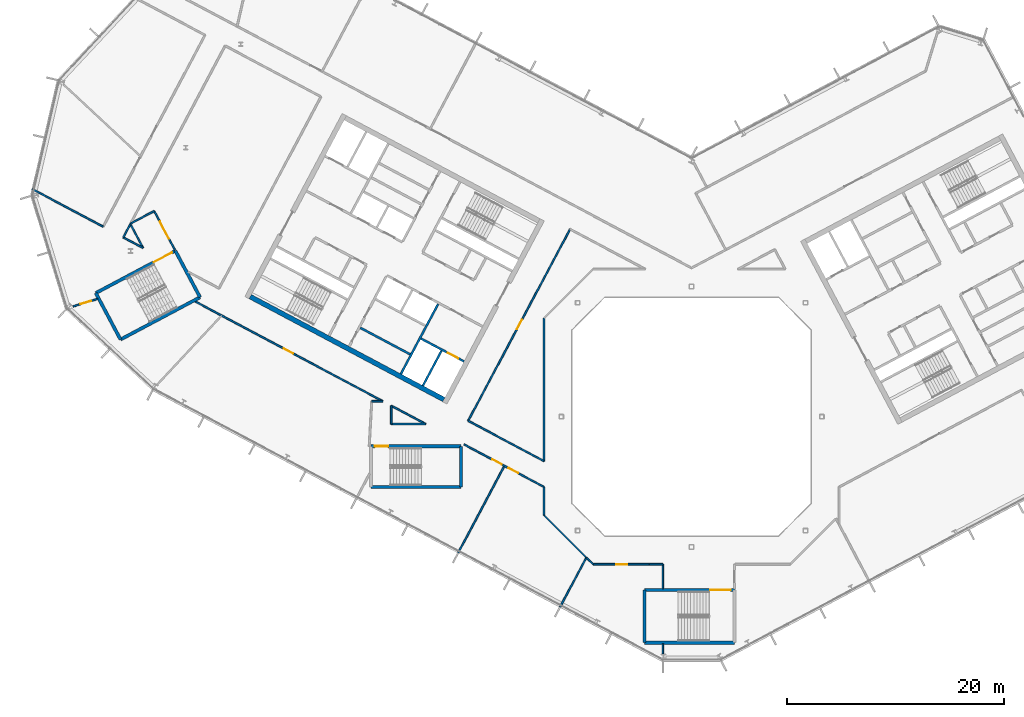
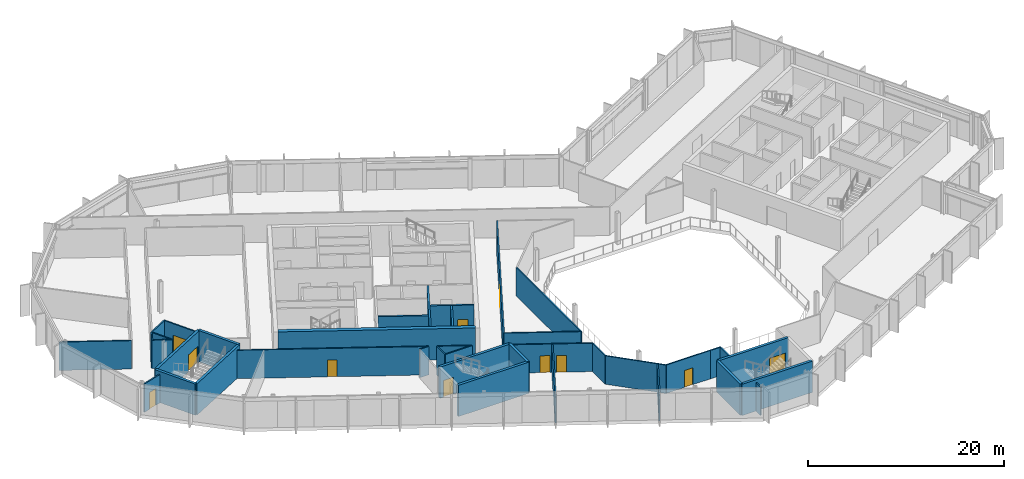
# One storey, part 13 of 26: 40 walls, 11 doors, 11 openings.
"""IFC4 building model written with IfcOpenShell, lengths in metres."""

from ifc_helpers import new_model, si_unit, direction, frame, frame_2d, origin, place, context, subcontext, project, spatial, rectangle, extrude, material, layer, layer_set, type_object, element, fill, save


model = new_model("IFC4")

# Units and contexts
model_context = context("Model", 3, precision=1e-05, world=origin(), true_north=direction((0.0, 1.0)))
body_context = subcontext(model_context, "Body", "Model", "MODEL_VIEW")
ifc_project = project(units=[si_unit("LENGTHUNIT", "METRE"), si_unit("AREAUNIT", "SQUARE_METRE"), si_unit("VOLUMEUNIT", "CUBIC_METRE"), si_unit("PLANEANGLEUNIT", "RADIAN"), si_unit("MASSUNIT", "GRAM", prefix="KILO")], contexts=[model_context])

# Site, building, storey
site_placement = place(None, origin())
site = spatial("IfcSite", under=ifc_project, at=site_placement, CompositionType="ELEMENT")
building_placement = place(site_placement, origin())
building = spatial("IfcBuilding", under=site, at=building_placement, Name="Cormorant Relay Tower", CompositionType="ELEMENT")
storey_placement = place(building_placement, frame((0.0, 0.0, 320.39990234375)))
storey = spatial("IfcBuildingStorey", under=building, at=storey_placement, Name="L73", CompositionType="ELEMENT", Elevation=320.39990234375)

# Walls
ifc_material_1 = material(Name="Concrete 40 MPa", Category="concrete")
ifc_layer_1 = layer(ifc_material_1, 0.199951171875)
ifc_layer_set_1 = layer_set([ifc_layer_1], Name="Core internal wall 200")
wall_type_1 = type_object("IfcWallType", Name="Core internal wall 200", PredefinedType="SOLIDWALL", material=ifc_layer_set_1)
wall_1_placement = place(storey_placement, frame((-25.936767578125, 5.74951171875, 0.0), z_axis=(0.0, 0.0, 1.0), x_axis=(-0.882934506056, 0.469496174655, 0.0)))
element("IfcWall", 1, at=wall_1_placement, inside=storey, type_object=wall_type_1, Name="L73 core A shaft and room wall", PredefinedType="SOLIDWALL", context=body_context, shape_type="SweptSolid", body=[
    extrude(rectangle(XDim=5.199951171875, YDim=0.199951171875, at=frame_2d((2.60009765625, 0.0))), origin(), (0.0, 0.0, 1.0), 3.900146484375),
])
ifc_material_2 = material(Name="Concrete 50 MPa", Category="concrete")
ifc_layer_2 = layer(ifc_material_2, 0.199951171875)
ifc_layer_set_2 = layer_set([ifc_layer_2], Name="Core shaft wall 200")
wall_type_2 = type_object("IfcWallType", Name="Core shaft wall 200", PredefinedType="SHEAR", material=ifc_layer_set_2)
wall_2_placement = place(storey_placement, frame((-23.04296875, 6.07958984375, 0.0), z_axis=(0.0, 0.0, 1.0), x_axis=(-0.469494272526, -0.882935517501, 0.0)))
element("IfcWall", 2, at=wall_2_placement, inside=storey, type_object=wall_type_2, Name="L73 core A shaft wall", PredefinedType="SHEAR", context=body_context, shape_type="SweptSolid", body=[
    extrude(rectangle(XDim=3.64990234375, YDim=0.199951171875, at=frame_2d((1.824951171875, 0.0))), origin(), (0.0, 0.0, 1.0), 3.900146484375),
])
wall_3_placement = place(storey_placement, frame((-23.360107421875, 10.38232421875, 0.0), z_axis=(0.0, 0.0, 1.0), x_axis=(-0.469480409012, -0.88294288918, 0.0)))
element("IfcWall", 3, at=wall_3_placement, inside=storey, type_object=wall_type_2, Name="L73 core A shaft wall", PredefinedType="SHEAR", context=body_context, shape_type="SweptSolid", body=[
    extrude(rectangle(XDim=7.300048828125, YDim=0.199951171875, at=frame_2d((3.64990234375, 0.0))), origin(), (0.0, 0.0, 1.0), 3.900146484375),
])

# Wall, opening, door
wall_4_placement = place(storey_placement, frame((-20.96533203125, 5.088134765625, 0.0), z_axis=(0.0, 0.0, 1.0), x_axis=(-0.882925986334, 0.469512196493, 0.0)))
wall_4 = element("IfcWall", 4, at=wall_4_placement, inside=storey, type_object=wall_type_2, Name="L73 core A shaft wall", PredefinedType="SHEAR", context=body_context, shape_type="SweptSolid", body=[
    extrude(rectangle(XDim=4.5, YDim=0.199951171875, at=frame_2d((2.25, 0.0))), origin(), (0.0, 0.0, 1.0), 3.900146484375),
])
opening_1_placement = place(wall_4_placement, frame((0.60009765625, 0.0, 0.0)))
opening_1 = element("IfcOpeningElement", 5, at=opening_1_placement, cuts=wall_4, Name="Opening LD1-063", PredefinedType="OPENING", context=body_context, shape_type="SweptSolid", body=[
    extrude(rectangle(XDim=1.10009765625, YDim=2.10009765625, at=frame_2d((0.550048828125, 1.050048828125))), frame((0.0, 0.10986328125, 0.0), z_axis=(0.0, -1.0, 0.0), x_axis=(1.0, 0.0, 0.0)), (0.0, 0.0, 1.0), 0.219970703125),
])
ifc_material_3 = material(Name="Stainless steel 316", Category="steel")
door_type_1 = type_object("IfcDoorType", Name="Lift landing door 1100x2100", OperationType="DOUBLE_DOOR_SLIDING", PredefinedType="DOOR", material=ifc_material_3)
door_1_placement = place(opening_1_placement, origin())
door_1 = element("IfcDoor", 6, at=door_1_placement, inside=storey, type_object=door_type_1, Name="FF1 landing door", OperationType="DOUBLE_DOOR_SLIDING", OverallHeight=2.10009765625, OverallWidth=1.10009765625, PredefinedType="DOOR", context=body_context, shape_type="SweptSolid", body=[
    extrude(rectangle(XDim=1.10009765625, YDim=2.10009765625, at=frame_2d((0.550048828125, 1.050048828125))), frame((0.0, 0.02490234375, 0.0), z_axis=(0.0, -1.0, 0.0), x_axis=(1.0, 0.0, 0.0)), (0.0, 0.0, 1.0), 0.050048828125),
])
fill(opening_1, door_1)

# Walls
ifc_material_4 = material(Name="Concrete 50 MPa", Category="concrete")
ifc_layer_3 = layer(ifc_material_4, 0.449951171875)
ifc_layer_set_3 = layer_set([ifc_layer_3], Name="Core wall 450")
wall_type_3 = type_object("IfcWallType", Name="Core wall 450", PredefinedType="SHEAR", material=ifc_layer_set_3)
wall_5_placement = place(storey_placement, frame((-22.83154296875, 1.578369140625, 0.0), z_axis=(0.0, 0.0, 1.0), x_axis=(-0.88294509198, 0.469476266226, 0.0)))
element("IfcWall", 7, at=wall_5_placement, inside=storey, type_object=wall_type_3, Name="L73 core A wall", PredefinedType="SHEAR", context=body_context, shape_type="SweptSolid", body=[
    extrude(rectangle(XDim=20.199951171875, YDim=0.449951171875, at=frame_2d((10.10009765625, 0.0))), origin(), (0.0, 0.0, 1.0), 3.900146484375),
])
ifc_material_5 = material(Name="Gypsum board fire partition")
ifc_layer_4 = layer(ifc_material_5, 0.14990234375)
ifc_layer_set_4 = layer_set([ifc_layer_4], Name="Corridor partition 150 EI 60")
wall_type_4 = type_object("IfcWallType", Name="Corridor partition 150 EI 60", PredefinedType="PARTITIONING", material=ifc_layer_set_4)
wall_6_placement = place(storey_placement, frame((-54.22802734375, 17.508056640625, 0.0), z_axis=(0.0, 0.0, 1.0), x_axis=(-0.882937333257, 0.469490857783, 0.0)))
element("IfcWall", 8, at=wall_6_placement, inside=storey, type_object=wall_type_4, Name="wall/L73/part/004", PredefinedType="PARTITIONING", context=body_context, shape_type="SweptSolid", body=[
    extrude(rectangle(XDim=7.42724609375, YDim=0.14990234375, at=frame_2d((3.713623046875, 0.0))), origin(), (0.0, 0.0, 1.0), 3.5400390625),
])

# Wall, opening, door
wall_7_placement = place(storey_placement, frame((-54.73193359375, 10.85693359375, 0.0), z_axis=(0.0, 0.0, 1.0), x_axis=(-0.956231519395, -0.292611143525, 0.0)))
wall_7 = element("IfcWall", 9, at=wall_7_placement, inside=storey, type_object=wall_type_4, Name="wall/L73/part/005", PredefinedType="PARTITIONING", context=body_context, shape_type="SweptSolid", body=[
    extrude(rectangle(XDim=2.385498046875, YDim=0.14990234375, at=frame_2d((1.19287109375, 0.0))), origin(), (0.0, 0.0, 1.0), 3.5400390625),
])
opening_2_placement = place(wall_7_placement, frame((0.64990234375, 0.0, 0.0)))
opening_2 = element("IfcOpeningElement", 10, at=opening_2_placement, cuts=wall_7, Name="Opening DS-205", PredefinedType="OPENING", context=body_context, shape_type="SweptSolid", body=[
    extrude(rectangle(XDim=1.0, YDim=2.10009765625, at=frame_2d((0.5, 1.050048828125))), frame((0.0, 0.0849609375, 0.0), z_axis=(0.0, -1.0, 0.0), x_axis=(1.0, 0.0, 0.0)), (0.0, 0.0, 1.0), 0.169921875),
])
ifc_material_6 = material(Name="Timber door leaf", Category="wood")
door_type_2 = type_object("IfcDoorType", Name="Suite door 1000x2100", OperationType="SINGLE_SWING_LEFT", PredefinedType="DOOR", material=ifc_material_6)
door_2_placement = place(opening_2_placement, origin())
door_2 = element("IfcDoor", 11, at=door_2_placement, inside=storey, type_object=door_type_2, Name="door/L73/007", OperationType="SINGLE_SWING_LEFT", OverallHeight=2.10009765625, OverallWidth=1.0, PredefinedType="DOOR", context=body_context, shape_type="SweptSolid", body=[
    extrude(rectangle(XDim=1.0, YDim=2.10009765625, at=frame_2d((0.5, 1.050048828125))), frame((0.0, 0.02490234375, 0.0), z_axis=(0.0, -1.0, 0.0), x_axis=(1.0, 0.0, 0.0)), (0.0, 0.0, 1.0), 0.050048828125),
])
fill(opening_2, door_2)

wall_8_placement = place(storey_placement, frame((-47.62109375, 15.3779296875, 0.0), z_axis=(0.0, 0.0, 1.0), x_axis=(-0.469542997944, 0.882909606404, 0.0)))
wall_8 = element("IfcWall", 12, at=wall_8_placement, inside=storey, type_object=wall_type_4, Name="wall/L73/part/009", PredefinedType="PARTITIONING", context=body_context, shape_type="SweptSolid", body=[
    extrude(rectangle(XDim=4.050537109375, YDim=0.14990234375, at=frame_2d((2.025390625, 0.0))), origin(), (0.0, 0.0, 1.0), 3.5400390625),
])
opening_3_placement = place(wall_8_placement, frame((1.14990234375, 0.0, 0.0)))
opening_3 = element("IfcOpeningElement", 13, at=opening_3_placement, cuts=wall_8, Name="Opening DD-035", PredefinedType="OPENING", context=body_context, shape_type="SweptSolid", body=[
    extrude(rectangle(XDim=1.800048828125, YDim=2.10009765625, at=frame_2d((0.89990234375, 1.050048828125))), frame((0.0, 0.0849609375, 0.0), z_axis=(0.0, -1.0, 0.0), x_axis=(1.0, 0.0, 0.0)), (0.0, 0.0, 1.0), 0.169921875),
])
ifc_material_7 = material(Name="Timber door leaf", Category="wood")
door_type_3 = type_object("IfcDoorType", Name="Suite double door 1800x2100", OperationType="DOUBLE_DOOR_SINGLE_SWING", PredefinedType="DOOR", material=ifc_material_7)
door_3_placement = place(opening_3_placement, frame((1.800048828125, 0.0, 0.0), z_axis=(0.0, 0.0, 1.0), x_axis=(-1.0, 0.0, 0.0)))
door_3 = element("IfcDoor", 14, at=door_3_placement, inside=storey, type_object=door_type_3, Name="door/L73/003", OperationType="DOUBLE_DOOR_SINGLE_SWING", OverallHeight=2.10009765625, OverallWidth=1.800048828125, PredefinedType="DOOR", context=body_context, shape_type="SweptSolid", body=[
    extrude(rectangle(XDim=1.800048828125, YDim=2.10009765625, at=frame_2d((0.89990234375, 1.050048828125))), frame((0.0, 0.02490234375, 0.0), z_axis=(0.0, -1.0, 0.0), x_axis=(1.0, 0.0, 0.0)), (0.0, 0.0, 1.0), 0.050048828125),
])
fill(opening_3, door_3)

# Wall
wall_9_placement = place(storey_placement, frame((-49.52294921875, 18.9541015625, 0.0), z_axis=(0.0, 0.0, 1.0), x_axis=(-0.882767334528, -0.469810422501, 0.0)))
element("IfcWall", 15, at=wall_9_placement, inside=storey, type_object=wall_type_4, Name="wall/L73/part/010", PredefinedType="PARTITIONING", context=body_context, shape_type="SweptSolid", body=[
    extrude(rectangle(XDim=2.460693359375, YDim=0.14990234375, at=frame_2d((1.23046875, 0.0))), origin(), (0.0, 0.0, 1.0), 3.5400390625),
])

# Wall, opening, door
wall_10_placement = place(storey_placement, frame((-28.4541015625, 1.425048828125, 0.0), z_axis=(0.0, 0.0, 1.0), x_axis=(-0.882958686675, 0.469450697757, 0.0)))
wall_10 = element("IfcWall", 16, at=wall_10_placement, inside=storey, type_object=wall_type_4, Name="wall/L73/part/015", PredefinedType="PARTITIONING", context=body_context, shape_type="SweptSolid", body=[
    extrude(rectangle(XDim=19.6123046875, YDim=0.14990234375, at=frame_2d((9.80615234375, 0.0))), origin(), (0.0, 0.0, 1.0), 3.5400390625),
])
opening_4_placement = place(wall_10_placement, frame((9.35009765625, 0.0, 0.0)))
opening_4 = element("IfcOpeningElement", 17, at=opening_4_placement, cuts=wall_10, Name="Opening DS-277", PredefinedType="OPENING", context=body_context, shape_type="SweptSolid", body=[
    extrude(rectangle(XDim=1.0, YDim=2.10009765625, at=frame_2d((0.5, 1.050048828125))), frame((0.0, 0.0849609375, 0.0), z_axis=(0.0, -1.0, 0.0), x_axis=(1.0, 0.0, 0.0)), (0.0, 0.0, 1.0), 0.169921875),
])
door_4_placement = place(opening_4_placement, origin())
door_4 = element("IfcDoor", 18, at=door_4_placement, inside=storey, type_object=door_type_2, Name="door/L73/008", OperationType="SINGLE_SWING_LEFT", OverallHeight=2.10009765625, OverallWidth=1.0, PredefinedType="DOOR", context=body_context, shape_type="SweptSolid", body=[
    extrude(rectangle(XDim=1.0, YDim=2.10009765625, at=frame_2d((0.5, 1.050048828125))), frame((0.0, 0.02490234375, 0.0), z_axis=(0.0, -1.0, 0.0), x_axis=(1.0, 0.0, 0.0)), (0.0, 0.0, 1.0), 0.050048828125),
])
fill(opening_4, door_4)

# Wall
wall_11_placement = place(storey_placement, frame((-28.455078125, 1.425048828125, 0.0), z_axis=(0.0, 0.0, 1.0), x_axis=(-0.999999541697, -0.000957395444, 0.0)))
element("IfcWall", 19, at=wall_11_placement, inside=storey, type_object=wall_type_4, Name="wall/L73/part/021", PredefinedType="PARTITIONING", context=body_context, shape_type="SweptSolid", body=[
    extrude(rectangle(XDim=1.02001953125, YDim=0.14990234375, at=frame_2d((0.510009765625, 0.0))), origin(), (0.0, 0.0, 1.0), 3.5400390625),
])

# Wall, openings, doors
wall_12_placement = place(storey_placement, frame((-13.60009765625, -6.472900390625, 0.0), z_axis=(0.0, 0.0, 1.0), x_axis=(-0.882934197132, 0.469496755618, 0.0)))
wall_12 = element("IfcWall", 20, at=wall_12_placement, inside=storey, type_object=wall_type_4, Name="wall/L73/part/023", PredefinedType="PARTITIONING", context=body_context, shape_type="SweptSolid", body=[
    extrude(rectangle(XDim=8.361572265625, YDim=0.14990234375, at=frame_2d((4.1806640625, 0.0))), origin(), (0.0, 0.0, 1.0), 3.5400390625),
])
opening_5_placement = place(wall_12_placement, frame((4.39990234375, 0.0, 0.0)))
opening_5 = element("IfcOpeningElement", 21, at=opening_5_placement, cuts=wall_12, Name="Opening DS-278", PredefinedType="OPENING", context=body_context, shape_type="SweptSolid", body=[
    extrude(rectangle(XDim=1.0, YDim=2.10009765625, at=frame_2d((0.5, 1.050048828125))), frame((0.0, 0.0849609375, 0.0), z_axis=(0.0, -1.0, 0.0), x_axis=(1.0, 0.0, 0.0)), (0.0, 0.0, 1.0), 0.169921875),
])
opening_6_placement = place(wall_12_placement, frame((2.698974609375, 0.0, 0.0)))
opening_6 = element("IfcOpeningElement", 22, at=opening_6_placement, cuts=wall_12, Name="Opening DS-279", PredefinedType="OPENING", context=body_context, shape_type="SweptSolid", body=[
    extrude(rectangle(XDim=1.0, YDim=2.10009765625, at=frame_2d((0.5, 1.050048828125))), frame((0.0, 0.0849609375, 0.0), z_axis=(0.0, -1.0, 0.0), x_axis=(1.0, 0.0, 0.0)), (0.0, 0.0, 1.0), 0.169921875),
])
door_5_placement = place(opening_5_placement, origin())
door_5 = element("IfcDoor", 23, at=door_5_placement, inside=storey, type_object=door_type_2, Name="door/L73/009", OperationType="SINGLE_SWING_LEFT", OverallHeight=2.10009765625, OverallWidth=1.0, PredefinedType="DOOR", context=body_context, shape_type="SweptSolid", body=[
    extrude(rectangle(XDim=1.0, YDim=2.10009765625, at=frame_2d((0.5, 1.050048828125))), frame((0.0, 0.02490234375, 0.0), z_axis=(0.0, -1.0, 0.0), x_axis=(1.0, 0.0, 0.0)), (0.0, 0.0, 1.0), 0.050048828125),
])
fill(opening_5, door_5)
door_6_placement = place(opening_6_placement, origin())
door_6 = element("IfcDoor", 24, at=door_6_placement, inside=storey, type_object=door_type_2, Name="door/L73/010", OperationType="SINGLE_SWING_RIGHT", OverallHeight=2.10009765625, OverallWidth=1.0, PredefinedType="DOOR", context=body_context, shape_type="SweptSolid", body=[
    extrude(rectangle(XDim=1.0, YDim=2.10009765625, at=frame_2d((0.5, 1.050048828125))), frame((0.0, 0.02490234375, 0.0), z_axis=(0.0, -1.0, 0.0), x_axis=(1.0, 0.0, 0.0)), (0.0, 0.0, 1.0), 0.050048828125),
])
fill(opening_6, door_6)

# Walls
wall_13_placement = place(storey_placement, frame((-9.660888671875, -13.01611328125, 0.0), z_axis=(0.0, 0.0, 1.0), x_axis=(-0.707106781187, 0.707106781187, 0.0)))
element("IfcWall", 25, at=wall_13_placement, inside=storey, type_object=wall_type_4, Name="wall/L73/part/025", PredefinedType="PARTITIONING", context=body_context, shape_type="SweptSolid", body=[
    extrude(rectangle(XDim=5.57080078125, YDim=0.14990234375, at=frame_2d((2.785400390625, 0.0))), origin(), (0.0, 0.0, 1.0), 3.5400390625),
])
wall_14_placement = place(storey_placement, frame((-13.60009765625, -9.076904296875, 0.0), z_axis=(0.0, 0.0, 1.0), x_axis=(0.0, 1.0, 0.0)))
element("IfcWall", 26, at=wall_14_placement, inside=storey, type_object=wall_type_4, Name="wall/L73/part/026", PredefinedType="PARTITIONING", context=body_context, shape_type="SweptSolid", body=[
    extrude(rectangle(XDim=2.5859375, YDim=0.14990234375, at=frame_2d((1.29296875, 0.0))), origin(), (0.0, 0.0, 1.0), 3.5400390625),
])

# Wall, opening, door
wall_15_placement = place(storey_placement, frame((-3.887939453125, -13.60009765625, 0.0), z_axis=(0.0, 0.0, 1.0), x_axis=(-1.0, 0.0, 0.0)))
wall_15 = element("IfcWall", 27, at=wall_15_placement, inside=storey, type_object=wall_type_4, Name="wall/L73/part/028", PredefinedType="PARTITIONING", context=body_context, shape_type="SweptSolid", body=[
    extrude(rectangle(XDim=5.18896484375, YDim=0.14990234375, at=frame_2d((2.594482421875, 0.0))), origin(), (0.0, 0.0, 1.0), 3.5400390625),
])
opening_7_placement = place(wall_15_placement, frame((2.050048828125, 0.0, 0.0)))
opening_7 = element("IfcOpeningElement", 28, at=opening_7_placement, cuts=wall_15, Name="Opening DS-280", PredefinedType="OPENING", context=body_context, shape_type="SweptSolid", body=[
    extrude(rectangle(XDim=1.0, YDim=2.10009765625, at=frame_2d((0.5, 1.050048828125))), frame((0.0, 0.0849609375, 0.0), z_axis=(0.0, -1.0, 0.0), x_axis=(1.0, 0.0, 0.0)), (0.0, 0.0, 1.0), 0.169921875),
])
door_7_placement = place(opening_7_placement, origin())
door_7 = element("IfcDoor", 29, at=door_7_placement, inside=storey, type_object=door_type_2, Name="door/L73/011", OperationType="SINGLE_SWING_LEFT", OverallHeight=2.10009765625, OverallWidth=1.0, PredefinedType="DOOR", context=body_context, shape_type="SweptSolid", body=[
    extrude(rectangle(XDim=1.0, YDim=2.10009765625, at=frame_2d((0.5, 1.050048828125))), frame((0.0, 0.02490234375, 0.0), z_axis=(0.0, -1.0, 0.0), x_axis=(1.0, 0.0, 0.0)), (0.0, 0.0, 1.0), 0.050048828125),
])
fill(opening_7, door_7)

# Walls
wall_16_placement = place(storey_placement, frame((-9.076904296875, -13.60009765625, 0.0), z_axis=(0.0, 0.0, 1.0), x_axis=(-0.707106781187, 0.707106781187, 0.0)))
element("IfcWall", 30, at=wall_16_placement, inside=storey, type_object=wall_type_4, Name="wall/L73/part/029", PredefinedType="PARTITIONING", context=body_context, shape_type="SweptSolid", body=[
    extrude(rectangle(XDim=0.871337890625, YDim=0.14990234375, at=frame_2d((0.435546875, 0.0))), origin(), (0.0, 0.0, 1.0), 3.5400390625),
])
wall_17_placement = place(storey_placement, frame((-2.64892578125, -15.875, 0.0), z_axis=(0.0, 0.0, 1.0), x_axis=(0.0, 1.0, 0.0)))
element("IfcWall", 31, at=wall_17_placement, inside=storey, type_object=wall_type_4, Name="wall/L73/part/030", PredefinedType="PARTITIONING", context=body_context, shape_type="SweptSolid", body=[
    extrude(rectangle(XDim=2.27490234375, YDim=0.14990234375, at=frame_2d((1.137451171875, 0.0))), origin(), (0.0, 0.0, 1.0), 3.5400390625),
])
wall_18_placement = place(storey_placement, frame((-2.64892578125, -13.60009765625, 0.0), z_axis=(0.0, 0.0, 1.0), x_axis=(-1.0, 0.0, 0.0)))
element("IfcWall", 32, at=wall_18_placement, inside=storey, type_object=wall_type_4, Name="wall/L73/part/031", PredefinedType="PARTITIONING", context=body_context, shape_type="SweptSolid", body=[
    extrude(rectangle(XDim=1.239013671875, YDim=0.14990234375, at=frame_2d((0.61962890625, 0.0))), origin(), (0.0, 0.0, 1.0), 3.5400390625),
])
wall_19_placement = place(storey_placement, frame((-52.3740234375, 16.52197265625, 0.0), z_axis=(0.0, 0.0, 1.0), x_axis=(0.882981472085, -0.469407839682, 0.0)))
element("IfcWall", 33, at=wall_19_placement, inside=storey, type_object=wall_type_4, Name="wall/L73/part/045", PredefinedType="PARTITIONING", context=body_context, shape_type="SweptSolid", body=[
    extrude(rectangle(XDim=2.072509765625, YDim=0.14990234375, at=frame_2d((1.0361328125, 0.0))), origin(), (0.0, 0.0, 1.0), 3.5400390625),
])
wall_20_placement = place(storey_placement, frame((-50.5439453125, 15.549072265625, 0.0), z_axis=(0.0, 0.0, 1.0), x_axis=(-0.469183782948, 0.883100547967, 0.0)))
element("IfcWall", 34, at=wall_20_placement, inside=storey, type_object=wall_type_4, Name="wall/L73/part/046", PredefinedType="PARTITIONING", context=body_context, shape_type="SweptSolid", body=[
    extrude(rectangle(XDim=2.500244140625, YDim=0.14990234375, at=frame_2d((1.25, 0.0))), origin(), (0.0, 0.0, 1.0), 3.5400390625),
])
wall_21_placement = place(storey_placement, frame((-51.717041015625, 17.757080078125, 0.0), z_axis=(0.0, 0.0, 1.0), x_axis=(-0.469618761384, -0.882869310236, 0.0)))
element("IfcWall", 35, at=wall_21_placement, inside=storey, type_object=wall_type_4, Name="wall/L73/part/047", PredefinedType="PARTITIONING", context=body_context, shape_type="SweptSolid", body=[
    extrude(rectangle(XDim=1.39892578125, YDim=0.14990234375, at=frame_2d((0.699462890625, 0.0))), origin(), (0.0, 0.0, 1.0), 3.5400390625),
])
wall_22_placement = place(storey_placement, frame((-27.675048828125, 1.010986328125, 0.0), z_axis=(0.0, 0.0, 1.0), x_axis=(0.0, -1.0, 0.0)))
element("IfcWall", 36, at=wall_22_placement, inside=storey, type_object=wall_type_4, Name="wall/L73/part/048", PredefinedType="PARTITIONING", context=body_context, shape_type="SweptSolid", body=[
    extrude(rectangle(XDim=1.68603515625, YDim=0.14990234375, at=frame_2d((0.843017578125, 0.0))), origin(), (0.0, 0.0, 1.0), 3.5400390625),
])
wall_23_placement = place(storey_placement, frame((-27.675048828125, -0.675048828125, 0.0), z_axis=(0.0, 0.0, 1.0), x_axis=(1.0, 0.0, 0.0)))
element("IfcWall", 37, at=wall_23_placement, inside=storey, type_object=wall_type_4, Name="wall/L73/part/049", PredefinedType="PARTITIONING", context=body_context, shape_type="SweptSolid", body=[
    extrude(rectangle(XDim=3.171142578125, YDim=0.14990234375, at=frame_2d((1.58544921875, 0.0))), origin(), (0.0, 0.0, 1.0), 3.5400390625),
])
wall_24_placement = place(storey_placement, frame((-24.50390625, -0.675048828125, 0.0), z_axis=(0.0, 0.0, 1.0), x_axis=(-0.882958125757, 0.46945175275, 0.0)))
element("IfcWall", 38, at=wall_24_placement, inside=storey, type_object=wall_type_4, Name="wall/L73/part/050", PredefinedType="PARTITIONING", context=body_context, shape_type="SweptSolid", body=[
    extrude(rectangle(XDim=3.591552734375, YDim=0.14990234375, at=frame_2d((1.7958984375, 0.0))), origin(), (0.0, 0.0, 1.0), 3.5400390625),
])

# Wall, opening, door
wall_25_placement = place(storey_placement, frame((-20.587890625, -0.37890625, 0.0), z_axis=(0.0, 0.0, 1.0), x_axis=(0.469489882812, 0.882937851685, 0.0)))
wall_25 = element("IfcWall", 39, at=wall_25_placement, inside=storey, type_object=wall_type_4, Name="wall/L73/part/051", PredefinedType="PARTITIONING", context=body_context, shape_type="SweptSolid", body=[
    extrude(rectangle(XDim=20.000244140625, YDim=0.14990234375, at=frame_2d((10.0, 0.0))), origin(), (0.0, 0.0, 1.0), 3.5400390625),
])
opening_8_placement = place(wall_25_placement, frame((9.550048828125, 0.0, 0.0)))
opening_8 = element("IfcOpeningElement", 40, at=opening_8_placement, cuts=wall_25, Name="Opening DS-117", PredefinedType="OPENING", context=body_context, shape_type="SweptSolid", body=[
    extrude(rectangle(XDim=1.0, YDim=2.10009765625, at=frame_2d((0.5, 1.050048828125))), frame((0.0, 0.0849609375, 0.0), z_axis=(0.0, -1.0, 0.0), x_axis=(1.0, 0.0, 0.0)), (0.0, 0.0, 1.0), 0.169921875),
])
door_8_placement = place(opening_8_placement, frame((1.0, 0.0, 0.0), z_axis=(0.0, 0.0, 1.0), x_axis=(-1.0, 0.0, 0.0)))
door_8 = element("IfcDoor", 41, at=door_8_placement, inside=storey, type_object=door_type_2, Name="door/L73/004", OperationType="SINGLE_SWING_LEFT", OverallHeight=2.10009765625, OverallWidth=1.0, PredefinedType="DOOR", context=body_context, shape_type="SweptSolid", body=[
    extrude(rectangle(XDim=1.0, YDim=2.10009765625, at=frame_2d((0.5, 1.050048828125))), frame((0.0, 0.02490234375, 0.0), z_axis=(0.0, -1.0, 0.0), x_axis=(1.0, 0.0, 0.0)), (0.0, 0.0, 1.0), 0.050048828125),
])
fill(opening_8, door_8)

# Walls
wall_26_placement = place(storey_placement, frame((-13.60009765625, 9.076904296875, 0.0), z_axis=(0.0, 0.0, 1.0), x_axis=(0.0, -1.0, 0.0)))
element("IfcWall", 42, at=wall_26_placement, inside=storey, type_object=wall_type_4, Name="wall/L73/part/055", PredefinedType="PARTITIONING", context=body_context, shape_type="SweptSolid", body=[
    extrude(rectangle(XDim=13.1708984375, YDim=0.14990234375, at=frame_2d((6.58544921875, 0.0))), origin(), (0.0, 0.0, 1.0), 3.5400390625),
])
wall_27_placement = place(storey_placement, frame((-13.60009765625, -4.093994140625, 0.0), z_axis=(0.0, 0.0, 1.0), x_axis=(-0.882967890474, 0.469433386533, 0.0)))
element("IfcWall", 43, at=wall_27_placement, inside=storey, type_object=wall_type_4, Name="wall/L73/part/056", PredefinedType="PARTITIONING", context=body_context, shape_type="SweptSolid", body=[
    extrude(rectangle(XDim=7.9140625, YDim=0.14990234375, at=frame_2d((3.95703125, 0.0))), origin(), (0.0, 0.0, 1.0), 3.5400390625),
])
ifc_material_8 = material(Name="Concrete 50 MPa", Category="concrete")
ifc_layer_5 = layer(ifc_material_8, 0.300048828125)
ifc_layer_set_5 = layer_set([ifc_layer_5], Name="Remote stair wall 300")
wall_type_5 = type_object("IfcWallType", Name="Remote stair wall 300", PredefinedType="SHEAR", material=ifc_layer_set_5)
wall_28_placement = place(storey_placement, frame((3.949951171875, -20.824951171875, 0.0), z_axis=(0.0, 0.0, 1.0), x_axis=(-1.0, 0.0, 0.0)))
element("IfcWall", 44, at=wall_28_placement, inside=storey, type_object=wall_type_5, Name="L73 exit stair RK1 wall", PredefinedType="SHEAR", context=body_context, shape_type="SweptSolid", body=[
    extrude(rectangle(XDim=8.300048828125, YDim=0.300048828125, at=frame_2d((4.14990234375, 0.0))), origin(), (0.0, 0.0, 1.0), 3.900146484375),
])
wall_29_placement = place(storey_placement, frame((-4.35009765625, -20.824951171875, 0.0), z_axis=(0.0, 0.0, 1.0), x_axis=(0.0, 1.0, 0.0)))
element("IfcWall", 45, at=wall_29_placement, inside=storey, type_object=wall_type_5, Name="L73 exit stair RK1 wall", PredefinedType="SHEAR", context=body_context, shape_type="SweptSolid", body=[
    extrude(rectangle(XDim=4.849853515625, YDim=0.300048828125, at=frame_2d((2.4248046875, 0.0))), origin(), (0.0, 0.0, 1.0), 3.900146484375),
])

# Wall, opening, door
wall_30_placement = place(storey_placement, frame((-4.35009765625, -15.97509765625, 0.0), z_axis=(0.0, 0.0, 1.0), x_axis=(1.0, 0.0, 0.0)))
wall_30 = element("IfcWall", 46, at=wall_30_placement, inside=storey, type_object=wall_type_5, Name="L73 exit stair RK1 wall", PredefinedType="SHEAR", context=body_context, shape_type="SweptSolid", body=[
    extrude(rectangle(XDim=8.300048828125, YDim=0.300048828125, at=frame_2d((4.14990234375, 0.0))), origin(), (0.0, 0.0, 1.0), 3.900146484375),
])
opening_9_placement = place(wall_30_placement, frame((6.050048828125, 0.0, 0.0)))
opening_9 = element("IfcOpeningElement", 47, at=opening_9_placement, cuts=wall_30, Name="Opening CDE-014", PredefinedType="OPENING", context=body_context, shape_type="SweptSolid", body=[
    extrude(rectangle(XDim=1.89990234375, YDim=2.10009765625, at=frame_2d((0.949951171875, 1.050048828125))), frame((0.0, 0.159912109375, 0.0), z_axis=(0.0, -1.0, 0.0), x_axis=(1.0, 0.0, 0.0)), (0.0, 0.0, 1.0), 0.320068359375),
])
ifc_material_9 = material(Name="Steel fire door", Category="steel")
door_type_4 = type_object("IfcDoorType", Name="Remote stair door 1900x2100", OperationType="DOUBLE_DOOR_SINGLE_SWING", PredefinedType="DOOR", material=ifc_material_9)
door_9_placement = place(opening_9_placement, frame((1.89990234375, 0.0, 0.0), z_axis=(0.0, 0.0, 1.0), x_axis=(-1.0, 0.0, 0.0)))
door_9 = element("IfcDoor", 48, at=door_9_placement, inside=storey, type_object=door_type_4, Name="Exit stair RK1 door", OperationType="DOUBLE_DOOR_SINGLE_SWING", OverallHeight=2.10009765625, OverallWidth=1.89990234375, PredefinedType="DOOR", context=body_context, shape_type="SweptSolid", body=[
    extrude(rectangle(XDim=1.89990234375, YDim=2.10009765625, at=frame_2d((0.949951171875, 1.050048828125))), frame((0.0, 0.02490234375, 0.0), z_axis=(0.0, -1.0, 0.0), x_axis=(1.0, 0.0, 0.0)), (0.0, 0.0, 1.0), 0.050048828125),
])
fill(opening_9, door_9)

# Walls
wall_31_placement = place(storey_placement, frame((-47.57421875, 15.28955078125, 0.0), z_axis=(0.0, 0.0, 1.0), x_axis=(0.469443498566, -0.882962514297, 0.0)))
element("IfcWall", 49, at=wall_31_placement, inside=storey, type_object=wall_type_5, Name="L73 exit stair RP1 wall", PredefinedType="SHEAR", context=body_context, shape_type="SweptSolid", body=[
    extrude(rectangle(XDim=4.85009765625, YDim=0.300048828125, at=frame_2d((2.425048828125, 0.0))), origin(), (0.0, 0.0, 1.0), 3.900146484375),
])
wall_32_placement = place(storey_placement, frame((-45.29736328125, 11.007080078125, 0.0), z_axis=(0.0, 0.0, 1.0), x_axis=(-0.882951519127, -0.469464178475, 0.0)))
element("IfcWall", 50, at=wall_32_placement, inside=storey, type_object=wall_type_5, Name="L73 exit stair RP1 wall", PredefinedType="SHEAR", context=body_context, shape_type="SweptSolid", body=[
    extrude(rectangle(XDim=8.2998046875, YDim=0.300048828125, at=frame_2d((4.14990234375, 0.0))), origin(), (0.0, 0.0, 1.0), 3.900146484375),
])
wall_33_placement = place(storey_placement, frame((-52.625732421875, 7.110595703125, 0.0), z_axis=(0.0, 0.0, 1.0), x_axis=(-0.469464364128, 0.882951420416, 0.0)))
element("IfcWall", 51, at=wall_33_placement, inside=storey, type_object=wall_type_5, Name="L73 exit stair RP1 wall", PredefinedType="SHEAR", context=body_context, shape_type="SweptSolid", body=[
    extrude(rectangle(XDim=4.849853515625, YDim=0.300048828125, at=frame_2d((2.4248046875, 0.0))), origin(), (0.0, 0.0, 1.0), 3.900146484375),
])

# Wall, opening, door
wall_34_placement = place(storey_placement, frame((-54.902587890625, 11.392822265625, 0.0), z_axis=(0.0, 0.0, 1.0), x_axis=(0.882939326045, 0.469487110071, 0.0)))
wall_34 = element("IfcWall", 52, at=wall_34_placement, inside=storey, type_object=wall_type_5, Name="L73 exit stair RP1 wall", PredefinedType="SHEAR", context=body_context, shape_type="SweptSolid", body=[
    extrude(rectangle(XDim=8.300048828125, YDim=0.300048828125, at=frame_2d((4.14990234375, 0.0))), origin(), (0.0, 0.0, 1.0), 3.900146484375),
])
opening_10_placement = place(wall_34_placement, frame((6.050048828125, 0.0, 0.0)))
opening_10 = element("IfcOpeningElement", 53, at=opening_10_placement, cuts=wall_34, Name="Opening CDE-015", PredefinedType="OPENING", context=body_context, shape_type="SweptSolid", body=[
    extrude(rectangle(XDim=1.89990234375, YDim=2.10009765625, at=frame_2d((0.949951171875, 1.050048828125))), frame((0.0, 0.159912109375, 0.0), z_axis=(0.0, -1.0, 0.0), x_axis=(1.0, 0.0, 0.0)), (0.0, 0.0, 1.0), 0.320068359375),
])
door_10_placement = place(opening_10_placement, frame((1.89990234375, 0.0, 0.0), z_axis=(0.0, 0.0, 1.0), x_axis=(-1.0, 0.0, 0.0)))
door_10 = element("IfcDoor", 54, at=door_10_placement, inside=storey, type_object=door_type_4, Name="Exit stair RP1 door", OperationType="DOUBLE_DOOR_SINGLE_SWING", OverallHeight=2.10009765625, OverallWidth=1.89990234375, PredefinedType="DOOR", context=body_context, shape_type="SweptSolid", body=[
    extrude(rectangle(XDim=1.89990234375, YDim=2.10009765625, at=frame_2d((0.949951171875, 1.050048828125))), frame((0.0, 0.02490234375, 0.0), z_axis=(0.0, -1.0, 0.0), x_axis=(1.0, 0.0, 0.0)), (0.0, 0.0, 1.0), 0.050048828125),
])
fill(opening_10, door_10)

# Walls
wall_35_placement = place(storey_placement, frame((-21.25, -2.72509765625, 0.0), z_axis=(0.0, 0.0, 1.0), x_axis=(0.0, -1.0, 0.0)))
element("IfcWall", 55, at=wall_35_placement, inside=storey, type_object=wall_type_5, Name="L73 exit stair RC1 wall", PredefinedType="SHEAR", context=body_context, shape_type="SweptSolid", body=[
    extrude(rectangle(XDim=3.75, YDim=0.300048828125, at=frame_2d((1.875, 0.0))), origin(), (0.0, 0.0, 1.0), 3.900146484375),
])
wall_36_placement = place(storey_placement, frame((-21.25, -6.47509765625, 0.0), z_axis=(0.0, 0.0, 1.0), x_axis=(-1.0, 0.0, 0.0)))
element("IfcWall", 56, at=wall_36_placement, inside=storey, type_object=wall_type_5, Name="L73 exit stair RC1 wall", PredefinedType="SHEAR", context=body_context, shape_type="SweptSolid", body=[
    extrude(rectangle(XDim=8.300048828125, YDim=0.300048828125, at=frame_2d((4.14990234375, 0.0))), origin(), (0.0, 0.0, 1.0), 3.900146484375),
])

# Wall, opening, door
wall_37_placement = place(storey_placement, frame((-29.550048828125, -2.72509765625, 0.0), z_axis=(0.0, 0.0, 1.0), x_axis=(1.0, 0.0, 0.0)))
wall_37 = element("IfcWall", 57, at=wall_37_placement, inside=storey, type_object=wall_type_5, Name="L73 exit stair RC1 wall", PredefinedType="SHEAR", context=body_context, shape_type="SweptSolid", body=[
    extrude(rectangle(XDim=8.300048828125, YDim=0.300048828125, at=frame_2d((4.14990234375, 0.0))), origin(), (0.0, 0.0, 1.0), 3.900146484375),
])
opening_11_placement = place(wall_37_placement, frame((0.375, 0.0, 0.0)))
opening_11 = element("IfcOpeningElement", 58, at=opening_11_placement, cuts=wall_37, Name="Opening CDB-042", PredefinedType="OPENING", context=body_context, shape_type="SweptSolid", body=[
    extrude(rectangle(XDim=1.199951171875, YDim=2.10009765625, at=frame_2d((0.60009765625, 1.050048828125))), frame((0.0, 0.159912109375, 0.0), z_axis=(0.0, -1.0, 0.0), x_axis=(1.0, 0.0, 0.0)), (0.0, 0.0, 1.0), 0.320068359375),
])
ifc_material_10 = material(Name="Steel fire door", Category="steel")
door_type_5 = type_object("IfcDoorType", Name="Core stair door 1200x2100", OperationType="SINGLE_SWING_LEFT", PredefinedType="DOOR", material=ifc_material_10)
door_11_placement = place(opening_11_placement, frame((1.199951171875, 0.0, 0.0), z_axis=(0.0, 0.0, 1.0), x_axis=(-1.0, 0.0, 0.0)))
door_11 = element("IfcDoor", 59, at=door_11_placement, inside=storey, type_object=door_type_5, Name="Exit stair RC1 door", OperationType="SINGLE_SWING_RIGHT", OverallHeight=2.10009765625, OverallWidth=1.199951171875, PredefinedType="DOOR", context=body_context, shape_type="SweptSolid", body=[
    extrude(rectangle(XDim=1.199951171875, YDim=2.10009765625, at=frame_2d((0.60009765625, 1.050048828125))), frame((0.0, 0.02490234375, 0.0), z_axis=(0.0, -1.0, 0.0), x_axis=(1.0, 0.0, 0.0)), (0.0, 0.0, 1.0), 0.050048828125),
])
fill(opening_11, door_11)

# Walls
ifc_material_11 = material(Name="Gypsum board partition")
ifc_layer_6 = layer(ifc_material_11, 0.14990234375)
ifc_layer_set_6 = layer_set([ifc_layer_6], Name="Tenant partition 150")
wall_type_6 = type_object("IfcWallType", Name="Tenant partition 150", PredefinedType="PARTITIONING", material=ifc_layer_set_6)
wall_38_placement = place(storey_placement, frame((-17.248046875, -4.532958984375, 0.0), z_axis=(0.0, 0.0, 1.0), x_axis=(-0.46943766298, -0.882965616871, 0.0)))
element("IfcWall", 60, at=wall_38_placement, inside=storey, type_object=wall_type_6, Name="wall/L73/part/022", PredefinedType="PARTITIONING", context=body_context, shape_type="SweptSolid", body=[
    extrude(rectangle(XDim=9.10009765625, YDim=0.14990234375, at=frame_2d((4.550048828125, 0.0))), origin(), (0.0, 0.0, 1.0), 3.5400390625),
])
wall_39_placement = place(storey_placement, frame((-9.696044921875, -12.98095703125, 0.0), z_axis=(0.0, 0.0, 1.0), x_axis=(-0.469664493403, -0.882844982789, 0.0)))
element("IfcWall", 61, at=wall_39_placement, inside=storey, type_object=wall_type_6, Name="wall/L73/part/027", PredefinedType="PARTITIONING", context=body_context, shape_type="SweptSolid", body=[
    extrude(rectangle(XDim=5.186767578125, YDim=0.14990234375, at=frame_2d((2.59326171875, 0.0))), origin(), (0.0, 0.0, 1.0), 3.5400390625),
])
wall_40_placement = place(storey_placement, frame((-2.64892578125, -20.925048828125, 0.0), z_axis=(0.0, 0.0, 1.0), x_axis=(0.0, -1.0, 0.0)))
element("IfcWall", 62, at=wall_40_placement, inside=storey, type_object=wall_type_6, Name="wall/L73/part/032", PredefinedType="PARTITIONING", context=body_context, shape_type="SweptSolid", body=[
    extrude(rectangle(XDim=0.966064453125, YDim=0.14990234375, at=frame_2d((0.48291015625, 0.0))), origin(), (0.0, 0.0, 1.0), 3.5400390625),
])

save(model, "model.ifc")
